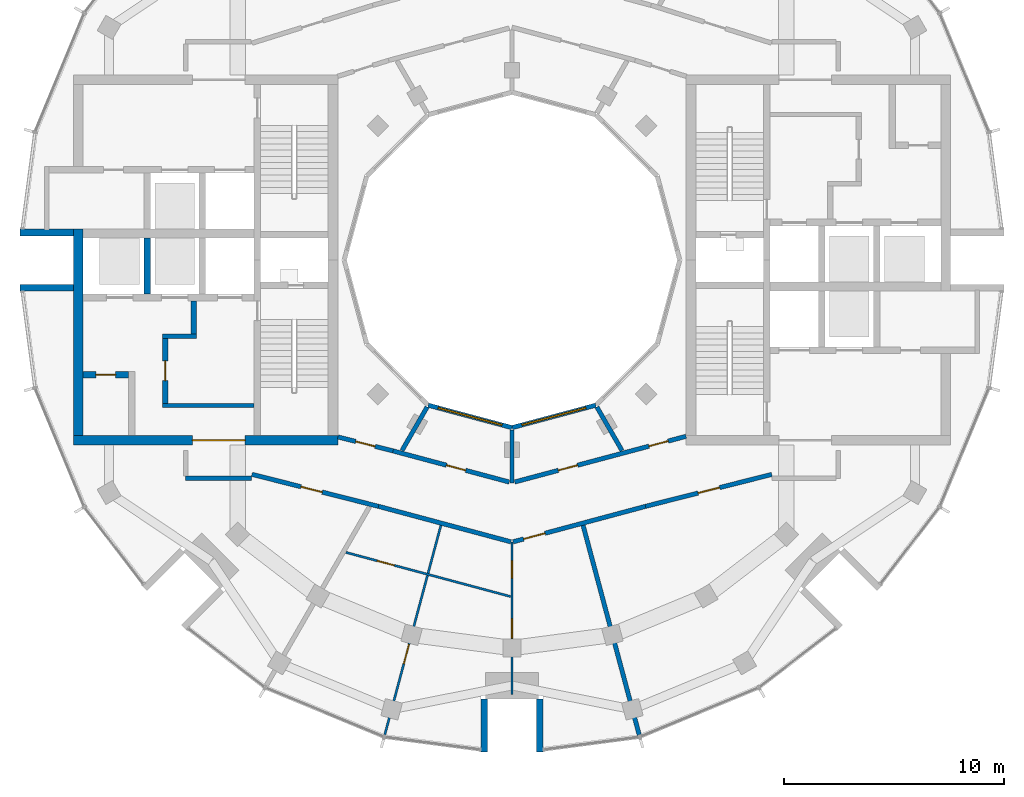
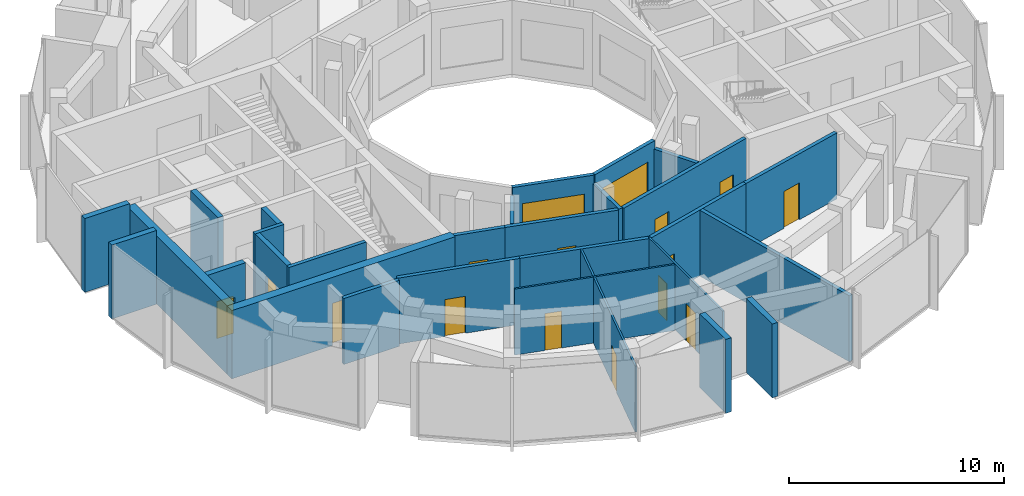
# One storey, part 8 of 13: 29 walls, 14 doors, 2 windows, 16 openings.
"""IFC4 building model written with IfcOpenShell, lengths in metres."""

from ifc_helpers import new_model, si_unit, direction, frame, frame_2d, origin, place, context, subcontext, project, spatial, rectangle, extrude, material, layer, layer_set, type_object, element, fill, save


model = new_model("IFC4")

# Units and contexts
model_context = context("Model", 3, precision=1e-05, world=origin(), true_north=direction((0.0, 1.0)))
body_context = subcontext(model_context, "Body", "Model", "MODEL_VIEW")
ifc_project = project(units=[si_unit("LENGTHUNIT", "METRE"), si_unit("AREAUNIT", "SQUARE_METRE"), si_unit("VOLUMEUNIT", "CUBIC_METRE"), si_unit("PLANEANGLEUNIT", "RADIAN"), si_unit("MASSUNIT", "GRAM", prefix="KILO")], contexts=[model_context])

# Site, building, storey
site_placement = place(None, origin())
site = spatial("IfcSite", under=ifc_project, at=site_placement, CompositionType="ELEMENT")
building_placement = place(site_placement, origin())
building = spatial("IfcBuilding", under=site, at=building_placement, Name="Torre Brocal", CompositionType="ELEMENT")
storey_placement = place(building_placement, frame((0.0, 0.0, 300.89990234375)))
storey = spatial("IfcBuildingStorey", under=building, at=storey_placement, Name="L69", CompositionType="ELEMENT", Elevation=300.89990234375)

# Walls
ifc_material_1 = material(Name="Concrete C50", Category="concrete")
ifc_layer_1 = layer(ifc_material_1, 0.199951171875)
ifc_layer_set_1 = layer_set([ifc_layer_1], Name="Concrete C50")
wall_type_1 = type_object("IfcWallType", Name="CORE WALL 200 C50", PredefinedType="SHEAR", material=ifc_layer_set_1)
wall_1_placement = place(storey_placement, frame((68.300048828125, 68.39990234375, 0.0), z_axis=(0.0, 0.0, 1.0), x_axis=(-1.0, 0.0, 0.0)))
element("IfcWall", 1, at=wall_1_placement, inside=storey, type_object=wall_type_1, Name="Wall CW200-50", PredefinedType="SHEAR", context=body_context, shape_type="SweptSolid", body=[
    extrude(rectangle(XDim=4.150146484375, YDim=0.199951171875, at=frame_2d((2.0751953125, 0.0))), origin(), (0.0, 0.0, 1.0), 3.880126953125),
])
wall_2_placement = place(storey_placement, frame((65.699951171875, 71.550048828125, 0.0), z_axis=(0.0, 0.0, 1.0), x_axis=(-1.0, 0.0, 0.0)))
element("IfcWall", 2, at=wall_2_placement, inside=storey, type_object=wall_type_1, Name="Wall CW200-50", PredefinedType="SHEAR", context=body_context, shape_type="SweptSolid", body=[
    extrude(rectangle(XDim=1.550048828125, YDim=0.199951171875, at=frame_2d((0.77490234375, 0.0))), origin(), (0.0, 0.0, 1.0), 3.880126953125),
])

# Wall, opening, door
ifc_material_2 = material(Name="Concrete C50", Category="concrete")
ifc_layer_2 = layer(ifc_material_2, 0.25)
ifc_layer_set_2 = layer_set([ifc_layer_2], Name="Concrete C50")
wall_type_2 = type_object("IfcWallType", Name="CORE WALL 250 C50", PredefinedType="SHEAR", material=ifc_layer_set_2)
wall_3_placement = place(storey_placement, frame((64.27490234375, 71.449951171875, 0.0), z_axis=(0.0, 0.0, 1.0), x_axis=(0.0, -1.0, 0.0)))
wall_3 = element("IfcWall", 3, at=wall_3_placement, inside=storey, type_object=wall_type_2, Name="Wall CW250-50", PredefinedType="SHEAR", context=body_context, shape_type="SweptSolid", body=[
    extrude(rectangle(XDim=2.949951171875, YDim=0.25, at=frame_2d((1.47509765625, 0.0))), origin(), (0.0, 0.0, 1.0), 3.880126953125),
])
opening_1_placement = place(wall_3_placement, frame((1.02490234375, 0.0, 0.0)))
opening_1 = element("IfcOpeningElement", 4, at=opening_1_placement, cuts=wall_3, Name="Opening W-D19", PredefinedType="OPENING", context=body_context, shape_type="SweptSolid", body=[
    extrude(rectangle(XDim=0.89990234375, YDim=2.10009765625, at=frame_2d((0.449951171875, 1.050048828125))), frame((0.0, 0.135009765625, 0.0), z_axis=(0.0, -1.0, 0.0), x_axis=(1.0, 0.0, 0.0)), (0.0, 0.0, 1.0), 0.27001953125),
])
ifc_material_3 = material(Name="Steel A653", Category="steel")
door_type_1 = type_object("IfcDoorType", Name="LOBBY DOOR FD120 900X2100", OperationType="SINGLE_SWING_RIGHT", PredefinedType="DOOR", material=ifc_material_3)
door_1_placement = place(opening_1_placement, origin())
door_1 = element("IfcDoor", 5, at=door_1_placement, inside=storey, type_object=door_type_1, Name="Door W-D19", OperationType="SINGLE_SWING_LEFT", OverallHeight=2.10009765625, OverallWidth=0.89990234375, PredefinedType="DOOR", context=body_context, shape_type="SweptSolid", body=[
    extrude(rectangle(XDim=0.89990234375, YDim=2.10009765625, at=frame_2d((0.449951171875, 1.050048828125))), frame((0.0, 0.02490234375, 0.0), z_axis=(0.0, -1.0, 0.0), x_axis=(1.0, 0.0, 0.0)), (0.0, 0.0, 1.0), 0.050048828125),
])
fill(opening_1, door_1)

# Walls
wall_4_placement = place(storey_placement, frame((65.574951171875, 73.14990234375, 0.0), z_axis=(0.0, 0.0, 1.0), x_axis=(0.0, -1.0, 0.0)))
element("IfcWall", 6, at=wall_4_placement, inside=storey, type_object=wall_type_2, Name="Wall CW250-50", PredefinedType="SHEAR", context=body_context, shape_type="SweptSolid", body=[
    extrude(rectangle(XDim=1.5, YDim=0.25, at=frame_2d((0.75, 0.0))), origin(), (0.0, 0.0, 1.0), 3.880126953125),
])
ifc_material_4 = material(Name="Concrete C50", Category="concrete")
ifc_layer_3 = layer(ifc_material_4, 0.300048828125)
ifc_layer_set_3 = layer_set([ifc_layer_3], Name="Concrete C50")
wall_type_3 = type_object("IfcWallType", Name="CORE WALL 300 C50", PredefinedType="SHEAR", material=ifc_layer_set_3)
wall_5_placement = place(storey_placement, frame((63.449951171875, 76.0, 0.0), z_axis=(0.0, 0.0, 1.0), x_axis=(0.0, -1.0, 0.0)))
element("IfcWall", 7, at=wall_5_placement, inside=storey, type_object=wall_type_3, Name="Wall CW300-50", PredefinedType="SHEAR", context=body_context, shape_type="SweptSolid", body=[
    extrude(rectangle(XDim=2.550048828125, YDim=0.300048828125, at=frame_2d((1.27490234375, 0.0))), origin(), (0.0, 0.0, 1.0), 3.880126953125),
])

# Wall, opening, door
wall_6_placement = place(storey_placement, frame((62.60009765625, 69.800048828125, 0.0), z_axis=(0.0, 0.0, 1.0), x_axis=(-1.0, 0.0, 0.0)))
wall_6 = element("IfcWall", 8, at=wall_6_placement, inside=storey, type_object=wall_type_3, Name="Wall CW300-50", PredefinedType="SHEAR", context=body_context, shape_type="SweptSolid", body=[
    extrude(rectangle(XDim=2.050048828125, YDim=0.300048828125, at=frame_2d((1.02490234375, 0.0))), origin(), (0.0, 0.0, 1.0), 3.880126953125),
])
opening_2_placement = place(wall_6_placement, frame((0.574951171875, 0.0, 0.0)))
opening_2 = element("IfcOpeningElement", 9, at=opening_2_placement, cuts=wall_6, Name="Opening W-D06", PredefinedType="OPENING", context=body_context, shape_type="SweptSolid", body=[
    extrude(rectangle(XDim=0.89990234375, YDim=2.10009765625, at=frame_2d((0.449951171875, 1.050048828125))), frame((0.0, 0.159912109375, 0.0), z_axis=(0.0, -1.0, 0.0), x_axis=(1.0, 0.0, 0.0)), (0.0, 0.0, 1.0), 0.320068359375),
])
ifc_material_5 = material(Name="Steel A653", Category="steel")
door_type_2 = type_object("IfcDoorType", Name="ROOM DOOR FD30S 900X2100", OperationType="SINGLE_SWING_LEFT", PredefinedType="DOOR", material=ifc_material_5)
door_2_placement = place(opening_2_placement, origin())
door_2 = element("IfcDoor", 10, at=door_2_placement, inside=storey, type_object=door_type_2, Name="Door W-D06", OperationType="SINGLE_SWING_RIGHT", OverallHeight=2.10009765625, OverallWidth=0.89990234375, PredefinedType="DOOR", context=body_context, shape_type="SweptSolid", body=[
    extrude(rectangle(XDim=0.89990234375, YDim=2.10009765625, at=frame_2d((0.449951171875, 1.050048828125))), frame((0.0, 0.02490234375, 0.0), z_axis=(0.0, -1.0, 0.0), x_axis=(1.0, 0.0, 0.0)), (0.0, 0.0, 1.0), 0.050048828125),
])
fill(opening_2, door_2)

ifc_material_6 = material(Name="Concrete C50", Category="concrete")
ifc_layer_4 = layer(ifc_material_6, 0.449951171875)
ifc_layer_set_4 = layer_set([ifc_layer_4], Name="Concrete C50")
wall_type_4 = type_object("IfcWallType", Name="CORE WALL 450 C50", PredefinedType="SHEAR", material=ifc_layer_set_4)
wall_7_placement = place(storey_placement, frame((72.10009765625, 66.824951171875, 0.0), z_axis=(0.0, 0.0, 1.0), x_axis=(-1.0, 0.0, 0.0)))
wall_7 = element("IfcWall", 11, at=wall_7_placement, inside=storey, type_object=wall_type_4, Name="Wall CW450-50", PredefinedType="SHEAR", context=body_context, shape_type="SweptSolid", body=[
    extrude(rectangle(XDim=12.0, YDim=0.449951171875, at=frame_2d((6.0, 0.0))), origin(), (0.0, 0.0, 1.0), 3.880126953125),
])
opening_3_placement = place(wall_7_placement, frame((4.199951171875, 0.0, 0.0)))
opening_3 = element("IfcOpeningElement", 12, at=opening_3_placement, cuts=wall_7, Name="Opening W-D24", PredefinedType="OPENING", context=body_context, shape_type="SweptSolid", body=[
    extrude(rectangle(XDim=2.39990234375, YDim=2.39990234375, at=frame_2d((1.199951171875, 1.199951171875))), frame((0.0, 0.23486328125, 0.0), z_axis=(0.0, -1.0, 0.0), x_axis=(1.0, 0.0, 0.0)), (0.0, 0.0, 1.0), 0.469970703125),
])
ifc_material_7 = material(Name="Steel A653", Category="steel")
door_type_3 = type_object("IfcDoorType", Name="DOUBLE FIRE DOOR FD90 2400X2400", OperationType="DOUBLE_DOOR_SINGLE_SWING", PredefinedType="DOOR", material=ifc_material_7)
door_3_placement = place(opening_3_placement, frame((2.39990234375, 0.0, 0.0), z_axis=(0.0, 0.0, 1.0), x_axis=(-1.0, 0.0, 0.0)))
door_3 = element("IfcDoor", 13, at=door_3_placement, inside=storey, type_object=door_type_3, Name="Door W-D24", OperationType="DOUBLE_DOOR_SINGLE_SWING", OverallHeight=2.39990234375, OverallWidth=2.39990234375, PredefinedType="DOOR", context=body_context, shape_type="SweptSolid", body=[
    extrude(rectangle(XDim=2.39990234375, YDim=2.39990234375, at=frame_2d((1.199951171875, 1.199951171875))), frame((0.0, 0.02490234375, 0.0), z_axis=(0.0, -1.0, 0.0), x_axis=(1.0, 0.0, 0.0)), (0.0, 0.0, 1.0), 0.050048828125),
])
fill(opening_3, door_3)

# Walls
wall_8_placement = place(storey_placement, frame((60.324951171875, 76.39990234375, 0.0), z_axis=(0.0, 0.0, 1.0), x_axis=(0.0, -1.0, 0.0)))
element("IfcWall", 14, at=wall_8_placement, inside=storey, type_object=wall_type_4, Name="Wall CW450-50", PredefinedType="SHEAR", context=body_context, shape_type="SweptSolid", body=[
    extrude(rectangle(XDim=9.349853515625, YDim=0.449951171875, at=frame_2d((4.6748046875, 0.0))), origin(), (0.0, 0.0, 1.0), 3.880126953125),
])
ifc_material_8 = material(Name="Concrete C50", Category="concrete")
ifc_layer_5 = layer(ifc_material_8, 0.300048828125)
ifc_layer_set_5 = layer_set([ifc_layer_5], Name="Concrete C50")
wall_type_5 = type_object("IfcWallType", Name="NOTCH RETURN WALL 300 C50", PredefinedType="NOTDEFINED", material=ifc_layer_set_5)
for number, where, z_axis, x_axis, name in (
    (15, (60.10009765625, 76.25, 0.0), (0.0, 0.0, 1.0), (-1.0, 0.0, 0.0), "NOTCH RETURN WALL"),
    (16, (60.10009765625, 73.75, 0.0), (0.0, 0.0, 1.0), (-1.0, 0.0, 0.0), "NOTCH RETURN WALL"),
    (17, (78.75, 55.10009765625, 0.0), (0.0, 0.0, 1.0), (0.0, -1.0, 0.0), "NOTCH RETURN WALL"),
    (18, (81.25, 55.10009765625, 0.0), (0.0, 0.0, 1.0), (0.0, -1.0, 0.0), "NOTCH RETURN WALL"),
):
    element("IfcWall", number, at=place(storey_placement, frame(where, z_axis=z_axis, x_axis=x_axis)), inside=storey, type_object=wall_type_5, Name=name, PredefinedType="NOTDEFINED", context=body_context, shape_type="SweptSolid", body=[
        extrude(rectangle(XDim=2.415771484375, YDim=0.300048828125, at=frame_2d((1.2080078125, 0.0))), origin(), (0.0, 0.0, 1.0), 4.2001953125),
    ])

# Wall, opening, door
ifc_material_9 = material(Name="Gypsum board", Category="Gypsum")
ifc_layer_6 = layer(ifc_material_9, 0.10009765625)
ifc_layer_set_6 = layer_set([ifc_layer_6], Name="Gypsum board")
wall_type_6 = type_object("IfcWallType", Name="PARTITION 100", PredefinedType="PARTITIONING", material=ifc_layer_set_6)
wall_9_placement = place(storey_placement, frame((72.46533203125, 61.738525390625, 0.0), z_axis=(0.0, 0.0, 1.0), x_axis=(0.965899611634, -0.258916859715, 0.0)))
wall_9 = element("IfcWall", 19, at=wall_9_placement, inside=storey, type_object=wall_type_6, Name="BATHROOM WALL", PredefinedType="PARTITIONING", context=body_context, shape_type="SweptSolid", body=[
    extrude(rectangle(XDim=7.740478515625, YDim=0.10009765625, at=frame_2d((3.8701171875, 0.0))), origin(), (0.0, 0.0, 1.0), 3.75),
])
opening_4_placement = place(wall_9_placement, frame((1.4677734375, 0.0, 0.0)))
opening_4 = element("IfcOpeningElement", 20, at=opening_4_placement, cuts=wall_9, Name="Opening N03-D13", PredefinedType="OPENING", context=body_context, shape_type="SweptSolid", body=[
    extrude(rectangle(XDim=0.800048828125, YDim=2.10009765625, at=frame_2d((0.39990234375, 1.050048828125))), frame((0.0, 0.06005859375, 0.0), z_axis=(0.0, -1.0, 0.0), x_axis=(1.0, 0.0, 0.0)), (0.0, 0.0, 1.0), 0.1201171875),
])
ifc_material_10 = material(Name="Timber", Category="wood")
door_type_4 = type_object("IfcDoorType", Name="BATHROOM DOOR 800X2100", OperationType="SINGLE_SWING_LEFT", PredefinedType="DOOR", material=ifc_material_10)
door_4_placement = place(opening_4_placement, origin())
door_4 = element("IfcDoor", 21, at=door_4_placement, inside=storey, type_object=door_type_4, Name="N03-D13", OperationType="SINGLE_SWING_LEFT", OverallHeight=2.10009765625, OverallWidth=0.800048828125, PredefinedType="DOOR", context=body_context, shape_type="SweptSolid", body=[
    extrude(rectangle(XDim=0.800048828125, YDim=2.10009765625, at=frame_2d((0.39990234375, 1.050048828125))), frame((0.0, 0.02490234375, 0.0), z_axis=(0.0, -1.0, 0.0), x_axis=(1.0, 0.0, 0.0)), (0.0, 0.0, 1.0), 0.050048828125),
])
fill(opening_4, door_4)

wall_10_placement = place(storey_placement, frame((74.22900390625, 53.461669921875, 0.0), z_axis=(0.0, 0.0, 1.0), x_axis=(0.258810097991, 0.965928223616, 0.0)))
wall_10 = element("IfcWall", 22, at=wall_10_placement, inside=storey, type_object=wall_type_6, Name="BATHROOM WALL", PredefinedType="PARTITIONING", context=body_context, shape_type="SweptSolid", body=[
    extrude(rectangle(XDim=9.837890625, YDim=0.10009765625, at=frame_2d((4.9189453125, 0.0))), origin(), (0.0, 0.0, 1.0), 3.75),
])
opening_5_placement = place(wall_10_placement, frame((3.343994140625, 0.0, 0.0)))
opening_5 = element("IfcOpeningElement", 23, at=opening_5_placement, cuts=wall_10, Name="Opening N03-D12", PredefinedType="OPENING", context=body_context, shape_type="SweptSolid", body=[
    extrude(rectangle(XDim=0.89990234375, YDim=2.10009765625, at=frame_2d((0.449951171875, 1.050048828125))), frame((0.0, 0.06005859375, 0.0), z_axis=(0.0, -1.0, 0.0), x_axis=(1.0, 0.0, 0.0)), (0.0, 0.0, 1.0), 0.1201171875),
])
ifc_material_11 = material(Name="Timber", Category="wood")
door_type_5 = type_object("IfcDoorType", Name="ROOM DOOR 900X2100", OperationType="SINGLE_SWING_LEFT", PredefinedType="DOOR", material=ifc_material_11)
door_5_placement = place(opening_5_placement, frame((0.89990234375, 0.0, 0.0), z_axis=(0.0, 0.0, 1.0), x_axis=(-1.0, 0.0, 0.0)))
door_5 = element("IfcDoor", 24, at=door_5_placement, inside=storey, type_object=door_type_5, Name="N03-D12", OperationType="SINGLE_SWING_RIGHT", OverallHeight=2.10009765625, OverallWidth=0.89990234375, PredefinedType="DOOR", context=body_context, shape_type="SweptSolid", body=[
    extrude(rectangle(XDim=0.89990234375, YDim=2.10009765625, at=frame_2d((0.449951171875, 1.050048828125))), frame((0.0, 0.02490234375, 0.0), z_axis=(0.0, -1.0, 0.0), x_axis=(1.0, 0.0, 0.0)), (0.0, 0.0, 1.0), 0.050048828125),
])
fill(opening_5, door_5)

# Wall, openings, doors
wall_11_placement = place(storey_placement, frame((80.0, 55.300048828125, 0.0), z_axis=(0.0, 0.0, 1.0), x_axis=(0.0, 1.0, 0.0)))
wall_11 = element("IfcWall", 25, at=wall_11_placement, inside=storey, type_object=wall_type_6, Name="BATHROOM WALL", PredefinedType="PARTITIONING", context=body_context, shape_type="SweptSolid", body=[
    extrude(rectangle(XDim=6.904052734375, YDim=0.10009765625, at=frame_2d((3.4521484375, 0.0))), origin(), (0.0, 0.0, 1.0), 3.75),
])
opening_6_placement = place(wall_11_placement, frame((2.534423828125, 0.0, 0.0)))
opening_6 = element("IfcOpeningElement", 26, at=opening_6_placement, cuts=wall_11, Name="Opening N03-D10", PredefinedType="OPENING", context=body_context, shape_type="SweptSolid", body=[
    extrude(rectangle(XDim=0.89990234375, YDim=2.10009765625, at=frame_2d((0.449951171875, 1.050048828125))), frame((0.0, 0.06005859375, 0.0), z_axis=(0.0, -1.0, 0.0), x_axis=(1.0, 0.0, 0.0)), (0.0, 0.0, 1.0), 0.1201171875),
])
opening_7_placement = place(wall_11_placement, frame((5.261474609375, 0.0, 0.0)))
opening_7 = element("IfcOpeningElement", 27, at=opening_7_placement, cuts=wall_11, Name="Opening N03-D11", PredefinedType="OPENING", context=body_context, shape_type="SweptSolid", body=[
    extrude(rectangle(XDim=0.800048828125, YDim=2.10009765625, at=frame_2d((0.39990234375, 1.050048828125))), frame((0.0, 0.06005859375, 0.0), z_axis=(0.0, -1.0, 0.0), x_axis=(1.0, 0.0, 0.0)), (0.0, 0.0, 1.0), 0.1201171875),
])
door_6_placement = place(opening_7_placement, origin())
door_6 = element("IfcDoor", 28, at=door_6_placement, inside=storey, type_object=door_type_4, Name="N03-D11", OperationType="SINGLE_SWING_LEFT", OverallHeight=2.10009765625, OverallWidth=0.800048828125, PredefinedType="DOOR", context=body_context, shape_type="SweptSolid", body=[
    extrude(rectangle(XDim=0.800048828125, YDim=2.10009765625, at=frame_2d((0.39990234375, 1.050048828125))), frame((0.0, 0.02490234375, 0.0), z_axis=(0.0, -1.0, 0.0), x_axis=(1.0, 0.0, 0.0)), (0.0, 0.0, 1.0), 0.050048828125),
])
fill(opening_7, door_6)
door_7_placement = place(opening_6_placement, origin())
door_7 = element("IfcDoor", 29, at=door_7_placement, inside=storey, type_object=door_type_5, Name="N03-D10", OperationType="SINGLE_SWING_RIGHT", OverallHeight=2.10009765625, OverallWidth=0.89990234375, PredefinedType="DOOR", context=body_context, shape_type="SweptSolid", body=[
    extrude(rectangle(XDim=0.89990234375, YDim=2.10009765625, at=frame_2d((0.449951171875, 1.050048828125))), frame((0.0, 0.02490234375, 0.0), z_axis=(0.0, -1.0, 0.0), x_axis=(1.0, 0.0, 0.0)), (0.0, 0.0, 1.0), 0.050048828125),
])
fill(opening_6, door_7)

# Wall
ifc_material_12 = material(Name="Gypsum board", Category="Gypsum")
ifc_layer_7 = layer(ifc_material_12, 0.199951171875)
ifc_layer_set_7 = layer_set([ifc_layer_7], Name="Gypsum board")
wall_type_7 = type_object("IfcWallType", Name="PARTITION 200 EI60", PredefinedType="PARTITIONING", material=ifc_layer_set_7)
wall_12_placement = place(storey_placement, frame((65.199951171875, 65.10009765625, 0.0), z_axis=(0.0, 0.0, 1.0), x_axis=(1.0, 0.0, 0.0)))
element("IfcWall", 30, at=wall_12_placement, inside=storey, type_object=wall_type_7, Name="FLAT ENTRANCE WALL", PredefinedType="PARTITIONING", context=body_context, shape_type="SweptSolid", body=[
    extrude(rectangle(XDim=2.97998046875, YDim=0.199951171875, at=frame_2d((1.489990234375, 0.0))), origin(), (0.0, 0.0, 1.0), 3.75),
])

# Wall, opening, door
wall_13_placement = place(storey_placement, frame((68.200927734375, 65.280029296875, 0.0), z_axis=(0.0, 0.0, 1.0), x_axis=(0.969421088032, -0.245403247897, 0.0)))
wall_13 = element("IfcWall", 31, at=wall_13_placement, inside=storey, type_object=wall_type_7, Name="FLAT ENTRANCE WALL", PredefinedType="PARTITIONING", context=body_context, shape_type="SweptSolid", body=[
    extrude(rectangle(XDim=5.92724609375, YDim=0.199951171875, at=frame_2d((2.963623046875, 0.0))), origin(), (0.0, 0.0, 1.0), 3.75),
])
opening_8_placement = place(wall_13_placement, frame((2.29345703125, 0.0, 0.0)))
opening_8 = element("IfcOpeningElement", 32, at=opening_8_placement, cuts=wall_13, Name="Opening N03-D14", PredefinedType="OPENING", context=body_context, shape_type="SweptSolid", body=[
    extrude(rectangle(XDim=1.0, YDim=2.10009765625, at=frame_2d((0.5, 1.050048828125))), frame((0.0, 0.10986328125, 0.0), z_axis=(0.0, -1.0, 0.0), x_axis=(1.0, 0.0, 0.0)), (0.0, 0.0, 1.0), 0.219970703125),
])
ifc_material_13 = material(Name="Timber", Category="wood")
door_type_6 = type_object("IfcDoorType", Name="FLAT ENTRY DOOR FD30S 1000X2100", OperationType="SINGLE_SWING_RIGHT", PredefinedType="DOOR", material=ifc_material_13)
door_8_placement = place(opening_8_placement, frame((1.0, 0.0, 0.0), z_axis=(0.0, 0.0, 1.0), x_axis=(-1.0, 0.0, 0.0)))
door_8 = element("IfcDoor", 33, at=door_8_placement, inside=storey, type_object=door_type_6, Name="N03-D14", OperationType="SINGLE_SWING_LEFT", OverallHeight=2.10009765625, OverallWidth=1.0, PredefinedType="DOOR", context=body_context, shape_type="SweptSolid", body=[
    extrude(rectangle(XDim=1.0, YDim=2.10009765625, at=frame_2d((0.5, 1.050048828125))), frame((0.0, 0.02490234375, 0.0), z_axis=(0.0, -1.0, 0.0), x_axis=(1.0, 0.0, 0.0)), (0.0, 0.0, 1.0), 0.050048828125),
])
fill(opening_8, door_8)

wall_14_placement = place(storey_placement, frame((72.10009765625, 66.97509765625, 0.0), z_axis=(0.0, 0.0, 1.0), x_axis=(0.969471314457, -0.245204752086, 0.0)))
wall_14 = element("IfcWall", 34, at=wall_14_placement, inside=storey, type_object=wall_type_7, Name="CORRIDOR WALL", PredefinedType="PARTITIONING", context=body_context, shape_type="SweptSolid", body=[
    extrude(rectangle(XDim=2.581787109375, YDim=0.199951171875, at=frame_2d((1.291015625, 0.0))), origin(), (0.0, 0.0, 1.0), 3.75),
])
opening_9_placement = place(wall_14_placement, frame((0.8408203125, 0.0, 0.0)))
opening_9 = element("IfcOpeningElement", 35, at=opening_9_placement, cuts=wall_14, Name="Opening N03-D18", PredefinedType="OPENING", context=body_context, shape_type="SweptSolid", body=[
    extrude(rectangle(XDim=0.89990234375, YDim=2.10009765625, at=frame_2d((0.449951171875, 1.050048828125))), frame((0.0, 0.10986328125, 0.0), z_axis=(0.0, -1.0, 0.0), x_axis=(1.0, 0.0, 0.0)), (0.0, 0.0, 1.0), 0.219970703125),
])
door_9_placement = place(opening_9_placement, origin())
door_9 = element("IfcDoor", 36, at=door_9_placement, inside=storey, type_object=door_type_5, Name="N03-D18", OperationType="SINGLE_SWING_LEFT", OverallHeight=2.10009765625, OverallWidth=0.89990234375, PredefinedType="DOOR", context=body_context, shape_type="SweptSolid", body=[
    extrude(rectangle(XDim=0.89990234375, YDim=2.10009765625, at=frame_2d((0.449951171875, 1.050048828125))), frame((0.0, 0.02490234375, 0.0), z_axis=(0.0, -1.0, 0.0), x_axis=(1.0, 0.0, 0.0)), (0.0, 0.0, 1.0), 0.050048828125),
])
fill(opening_9, door_9)

# Wall
wall_15_placement = place(storey_placement, frame((73.947021484375, 63.825927734375, 0.0), z_axis=(0.0, 0.0, 1.0), x_axis=(0.965908253407, -0.258884619088, 0.0)))
element("IfcWall", 37, at=wall_15_placement, inside=storey, type_object=wall_type_7, Name="GUESTROOM CORRIDOR WALL", PredefinedType="PARTITIONING", context=body_context, shape_type="SweptSolid", body=[
    extrude(rectangle(XDim=6.216552734375, YDim=0.199951171875, at=frame_2d((3.1083984375, 0.0))), origin(), (0.0, 0.0, 1.0), 3.75),
])

# Wall, opening, door
wall_16_placement = place(storey_placement, frame((74.60302734375, 66.342041015625, 0.0), z_axis=(0.0, 0.0, 1.0), x_axis=(0.965920893652, -0.258837453254, 0.0)))
wall_16 = element("IfcWall", 38, at=wall_16_placement, inside=storey, type_object=wall_type_7, Name="CORRIDOR WALL", PredefinedType="PARTITIONING", context=body_context, shape_type="SweptSolid", body=[
    extrude(rectangle(XDim=5.45751953125, YDim=0.199951171875, at=frame_2d((2.728759765625, 0.0))), origin(), (0.0, 0.0, 1.0), 3.75),
])
opening_10_placement = place(wall_16_placement, frame((2.512451171875, 0.0, 0.0)))
opening_10 = element("IfcOpeningElement", 39, at=opening_10_placement, cuts=wall_16, Name="Opening N03-D17", PredefinedType="OPENING", context=body_context, shape_type="SweptSolid", body=[
    extrude(rectangle(XDim=0.89990234375, YDim=2.10009765625, at=frame_2d((0.449951171875, 1.050048828125))), frame((0.0, 0.10986328125, 0.0), z_axis=(0.0, -1.0, 0.0), x_axis=(1.0, 0.0, 0.0)), (0.0, 0.0, 1.0), 0.219970703125),
])
door_10_placement = place(opening_10_placement, origin())
door_10 = element("IfcDoor", 40, at=door_10_placement, inside=storey, type_object=door_type_5, Name="N03-D17", OperationType="SINGLE_SWING_LEFT", OverallHeight=2.10009765625, OverallWidth=0.89990234375, PredefinedType="DOOR", context=body_context, shape_type="SweptSolid", body=[
    extrude(rectangle(XDim=0.89990234375, YDim=2.10009765625, at=frame_2d((0.449951171875, 1.050048828125))), frame((0.0, 0.02490234375, 0.0), z_axis=(0.0, -1.0, 0.0), x_axis=(1.0, 0.0, 0.0)), (0.0, 0.0, 1.0), 0.050048828125),
])
fill(opening_10, door_10)

# Wall
wall_17_placement = place(storey_placement, frame((75.012451171875, 66.36279296875, 0.0), z_axis=(0.0, 0.0, 1.0), x_axis=(0.500097042406, 0.865969369075, 0.0)))
element("IfcWall", 41, at=wall_17_placement, inside=storey, type_object=wall_type_7, Name="PARTY PARTITION", PredefinedType="PARTITIONING", context=body_context, shape_type="SweptSolid", body=[
    extrude(rectangle(XDim=2.275390625, YDim=0.199951171875, at=frame_2d((1.1376953125, 0.0))), origin(), (0.0, 0.0, 1.0), 3.75),
])

# Wall, openings, doors
wall_18_placement = place(storey_placement, frame((80.125, 64.931640625, 0.0), z_axis=(0.0, 0.0, 1.0), x_axis=(0.966236955806, 0.257655089674, 0.0)))
wall_18 = element("IfcWall", 42, at=wall_18_placement, inside=storey, type_object=wall_type_7, Name="CORRIDOR WALL", PredefinedType="PARTITIONING", context=body_context, shape_type="SweptSolid", body=[
    extrude(rectangle(XDim=8.0390625, YDim=0.199951171875, at=frame_2d((4.01953125, 0.0))), origin(), (0.0, 0.0, 1.0), 3.75),
])
opening_11_placement = place(wall_18_placement, frame((6.298095703125, 0.0, 0.0)))
opening_11 = element("IfcOpeningElement", 43, at=opening_11_placement, cuts=wall_18, Name="Opening N03-D15", PredefinedType="OPENING", context=body_context, shape_type="SweptSolid", body=[
    extrude(rectangle(XDim=0.89990234375, YDim=2.10009765625, at=frame_2d((0.449951171875, 1.050048828125))), frame((0.0, 0.10986328125, 0.0), z_axis=(0.0, -1.0, 0.0), x_axis=(1.0, 0.0, 0.0)), (0.0, 0.0, 1.0), 0.219970703125),
])
opening_12_placement = place(wall_18_placement, frame((2.044921875, 0.0, 0.0)))
opening_12 = element("IfcOpeningElement", 44, at=opening_12_placement, cuts=wall_18, Name="Opening N03-D16", PredefinedType="OPENING", context=body_context, shape_type="SweptSolid", body=[
    extrude(rectangle(XDim=0.89990234375, YDim=2.10009765625, at=frame_2d((0.449951171875, 1.050048828125))), frame((0.0, 0.10986328125, 0.0), z_axis=(0.0, -1.0, 0.0), x_axis=(1.0, 0.0, 0.0)), (0.0, 0.0, 1.0), 0.219970703125),
])
door_11_placement = place(opening_11_placement, origin())
door_11 = element("IfcDoor", 45, at=door_11_placement, inside=storey, type_object=door_type_5, Name="N03-D15", OperationType="SINGLE_SWING_RIGHT", OverallHeight=2.10009765625, OverallWidth=0.89990234375, PredefinedType="DOOR", context=body_context, shape_type="SweptSolid", body=[
    extrude(rectangle(XDim=0.89990234375, YDim=2.10009765625, at=frame_2d((0.449951171875, 1.050048828125))), frame((0.0, 0.02490234375, 0.0), z_axis=(0.0, -1.0, 0.0), x_axis=(1.0, 0.0, 0.0)), (0.0, 0.0, 1.0), 0.050048828125),
])
fill(opening_11, door_11)
door_12_placement = place(opening_12_placement, origin())
door_12 = element("IfcDoor", 46, at=door_12_placement, inside=storey, type_object=door_type_5, Name="N03-D16", OperationType="SINGLE_SWING_RIGHT", OverallHeight=2.10009765625, OverallWidth=0.89990234375, PredefinedType="DOOR", context=body_context, shape_type="SweptSolid", body=[
    extrude(rectangle(XDim=0.89990234375, YDim=2.10009765625, at=frame_2d((0.449951171875, 1.050048828125))), frame((0.0, 0.02490234375, 0.0), z_axis=(0.0, -1.0, 0.0), x_axis=(1.0, 0.0, 0.0)), (0.0, 0.0, 1.0), 0.050048828125),
])
fill(opening_12, door_12)

# Wall, opening, door
wall_19_placement = place(storey_placement, frame((80.04833984375, 62.217041015625, 0.0), z_axis=(0.0, 0.0, 1.0), x_axis=(0.965937709386, 0.258774692708, 0.0)))
wall_19 = element("IfcWall", 47, at=wall_19_placement, inside=storey, type_object=wall_type_7, Name="FLAT ENTRANCE WALL", PredefinedType="PARTITIONING", context=body_context, shape_type="SweptSolid", body=[
    extrude(rectangle(XDim=6.21630859375, YDim=0.199951171875, at=frame_2d((3.108154296875, 0.0))), origin(), (0.0, 0.0, 1.0), 3.75),
])
opening_13_placement = place(wall_19_placement, frame((0.5, 0.0, 0.0)))
opening_13 = element("IfcOpeningElement", 48, at=opening_13_placement, cuts=wall_19, Name="Opening N03-D09", PredefinedType="OPENING", context=body_context, shape_type="SweptSolid", body=[
    extrude(rectangle(XDim=1.0, YDim=2.10009765625, at=frame_2d((0.5, 1.050048828125))), frame((0.0, 0.10986328125, 0.0), z_axis=(0.0, -1.0, 0.0), x_axis=(1.0, 0.0, 0.0)), (0.0, 0.0, 1.0), 0.219970703125),
])
door_13_placement = place(opening_13_placement, frame((1.0, 0.0, 0.0), z_axis=(0.0, 0.0, 1.0), x_axis=(-1.0, 0.0, 0.0)))
door_13 = element("IfcDoor", 49, at=door_13_placement, inside=storey, type_object=door_type_6, Name="N03-D09", OperationType="SINGLE_SWING_RIGHT", OverallHeight=2.10009765625, OverallWidth=1.0, PredefinedType="DOOR", context=body_context, shape_type="SweptSolid", body=[
    extrude(rectangle(XDim=1.0, YDim=2.10009765625, at=frame_2d((0.5, 1.050048828125))), frame((0.0, 0.02490234375, 0.0), z_axis=(0.0, -1.0, 0.0), x_axis=(1.0, 0.0, 0.0)), (0.0, 0.0, 1.0), 0.050048828125),
])
fill(opening_13, door_13)

# Walls
wall_20_placement = place(storey_placement, frame((80.0, 64.89599609375, 0.0), z_axis=(0.0, 0.0, 1.0), x_axis=(0.0, 1.0, 0.0)))
element("IfcWall", 50, at=wall_20_placement, inside=storey, type_object=wall_type_7, Name="SERVICE ROOM WALL", PredefinedType="PARTITIONING", context=body_context, shape_type="SweptSolid", body=[
    extrude(rectangle(XDim=2.405029296875, YDim=0.199951171875, at=frame_2d((1.20263671875, 0.0))), origin(), (0.0, 0.0, 1.0), 3.75),
])
wall_21_placement = place(storey_placement, frame((83.224609375, 62.96337890625, 0.0), z_axis=(0.0, 0.0, 1.0), x_axis=(0.258782398991, -0.96593564484, 0.0)))
element("IfcWall", 51, at=wall_21_placement, inside=storey, type_object=wall_type_7, Name="PARTY PARTITION", PredefinedType="PARTITIONING", context=body_context, shape_type="SweptSolid", body=[
    extrude(rectangle(XDim=9.837158203125, YDim=0.199951171875, at=frame_2d((4.91845703125, 0.0))), origin(), (0.0, 0.0, 1.0), 3.75),
])
wall_22_placement = place(storey_placement, frame((83.849609375, 68.333251953125, 0.0), z_axis=(0.0, 0.0, 1.0), x_axis=(0.500080019051, -0.865979199835, 0.0)))
element("IfcWall", 52, at=wall_22_placement, inside=storey, type_object=wall_type_7, Name="SERVICE ROOM WALL", PredefinedType="PARTITIONING", context=body_context, shape_type="SweptSolid", body=[
    extrude(rectangle(XDim=2.285400390625, YDim=0.199951171875, at=frame_2d((1.142578125, 0.0))), origin(), (0.0, 0.0, 1.0), 3.75),
])

# Wall, opening, door
wall_23_placement = place(storey_placement, frame((86.052978515625, 63.826171875, 0.0), z_axis=(0.0, 0.0, 1.0), x_axis=(0.969480070232, 0.245170131586, 0.0)))
wall_23 = element("IfcWall", 53, at=wall_23_placement, inside=storey, type_object=wall_type_7, Name="FLAT ENTRANCE WALL", PredefinedType="PARTITIONING", context=body_context, shape_type="SweptSolid", body=[
    extrude(rectangle(XDim=5.906982421875, YDim=0.199951171875, at=frame_2d((2.95361328125, 0.0))), origin(), (0.0, 0.0, 1.0), 3.75),
])
opening_14_placement = place(wall_23_placement, frame((2.464111328125, 0.0, 0.0)))
opening_14 = element("IfcOpeningElement", 54, at=opening_14_placement, cuts=wall_23, Name="Opening N03-D08", PredefinedType="OPENING", context=body_context, shape_type="SweptSolid", body=[
    extrude(rectangle(XDim=1.0, YDim=2.10009765625, at=frame_2d((0.5, 1.050048828125))), frame((0.0, 0.10986328125, 0.0), z_axis=(0.0, -1.0, 0.0), x_axis=(1.0, 0.0, 0.0)), (0.0, 0.0, 1.0), 0.219970703125),
])
door_14_placement = place(opening_14_placement, frame((1.0, 0.0, 0.0), z_axis=(0.0, 0.0, 1.0), x_axis=(-1.0, 0.0, 0.0)))
door_14 = element("IfcDoor", 55, at=door_14_placement, inside=storey, type_object=door_type_6, Name="N03-D08", OperationType="SINGLE_SWING_LEFT", OverallHeight=2.10009765625, OverallWidth=1.0, PredefinedType="DOOR", context=body_context, shape_type="SweptSolid", body=[
    extrude(rectangle(XDim=1.0, YDim=2.10009765625, at=frame_2d((0.5, 1.050048828125))), frame((0.0, 0.02490234375, 0.0), z_axis=(0.0, -1.0, 0.0), x_axis=(1.0, 0.0, 0.0)), (0.0, 0.0, 1.0), 0.050048828125),
])
fill(opening_14, door_14)

# Wall, opening, window
ifc_material_14 = material(Name="Concrete C40", Category="concrete")
ifc_layer_8 = layer(ifc_material_14, 0.199951171875)
ifc_layer_set_8 = layer_set([ifc_layer_8], Name="Concrete C40")
wall_type_8 = type_object("IfcWallType", Name="WELL FACADE WALL 200", PredefinedType="NOTDEFINED", material=ifc_layer_set_8)
wall_24_placement = place(storey_placement, frame((76.1982421875, 68.4150390625, 0.0), z_axis=(0.0, 0.0, 1.0), x_axis=(0.965933654434, -0.258789828301, 0.0)))
wall_24 = element("IfcWall", 56, at=wall_24_placement, inside=storey, type_object=wall_type_8, Name="WELL FACADE WALL", PredefinedType="NOTDEFINED", context=body_context, shape_type="SweptSolid", body=[
    extrude(rectangle(XDim=3.935791015625, YDim=0.199951171875, at=frame_2d((1.9677734375, 0.0))), origin(), (0.0, 0.0, 1.0), 4.2001953125),
])
opening_15_placement = place(wall_24_placement, frame((0.468017578125, 0.0, 0.89990234375)))
opening_15 = element("IfcOpeningElement", 57, at=opening_15_placement, cuts=wall_24, Name="Opening W1", PredefinedType="OPENING", context=body_context, shape_type="SweptSolid", body=[
    extrude(rectangle(XDim=3.0, YDim=2.300048828125, at=frame_2d((1.5, 1.14990234375))), frame((0.0, 0.10986328125, 0.0), z_axis=(0.0, -1.0, 0.0), x_axis=(1.0, 0.0, 0.0)), (0.0, 0.0, 1.0), 0.219970703125),
])
ifc_material_15 = material(Name="Aluminium and glass", Category="aluminium")
window_type = type_object("IfcWindowType", Name="WELL WINDOW 3000X2300", PartitioningType="SINGLE_PANEL", PredefinedType="WINDOW", material=ifc_material_15)
window_1_placement = place(opening_15_placement, origin())
window_1 = element("IfcWindow", 58, at=window_1_placement, inside=storey, type_object=window_type, Name="WELL WINDOW 3000X2300", OverallHeight=2.300048828125, OverallWidth=3.0, PartitioningType="SINGLE_PANEL", PredefinedType="WINDOW", context=body_context, shape_type="SweptSolid", body=[
    extrude(rectangle(XDim=3.0, YDim=2.300048828125, at=frame_2d((1.5, 1.14990234375))), frame((0.0, 0.030029296875, 0.0), z_axis=(0.0, -1.0, 0.0), x_axis=(1.0, 0.0, 0.0)), (0.0, 0.0, 1.0), 0.06005859375),
])
fill(opening_15, window_1)

wall_25_placement = place(storey_placement, frame((80.0, 67.396484375, 0.0), z_axis=(0.0, 0.0, 1.0), x_axis=(0.965933654434, 0.258789828301, 0.0)))
wall_25 = element("IfcWall", 59, at=wall_25_placement, inside=storey, type_object=wall_type_8, Name="WELL FACADE WALL", PredefinedType="NOTDEFINED", context=body_context, shape_type="SweptSolid", body=[
    extrude(rectangle(XDim=3.935791015625, YDim=0.199951171875, at=frame_2d((1.9677734375, 0.0))), origin(), (0.0, 0.0, 1.0), 4.2001953125),
])
opening_16_placement = place(wall_25_placement, frame((0.468017578125, 0.0, 0.89990234375)))
opening_16 = element("IfcOpeningElement", 60, at=opening_16_placement, cuts=wall_25, Name="Opening W1", PredefinedType="OPENING", context=body_context, shape_type="SweptSolid", body=[
    extrude(rectangle(XDim=3.0, YDim=2.300048828125, at=frame_2d((1.5, 1.14990234375))), frame((0.0, 0.10986328125, 0.0), z_axis=(0.0, -1.0, 0.0), x_axis=(1.0, 0.0, 0.0)), (0.0, 0.0, 1.0), 0.219970703125),
])
window_2_placement = place(opening_16_placement, origin())
window_2 = element("IfcWindow", 61, at=window_2_placement, inside=storey, type_object=window_type, Name="WELL WINDOW 3000X2300", OverallHeight=2.300048828125, OverallWidth=3.0, PartitioningType="SINGLE_PANEL", PredefinedType="WINDOW", context=body_context, shape_type="SweptSolid", body=[
    extrude(rectangle(XDim=3.0, YDim=2.300048828125, at=frame_2d((1.5, 1.14990234375))), frame((0.0, 0.030029296875, 0.0), z_axis=(0.0, -1.0, 0.0), x_axis=(1.0, 0.0, 0.0)), (0.0, 0.0, 1.0), 0.06005859375),
])
fill(opening_16, window_2)

save(model, "model.ifc")
